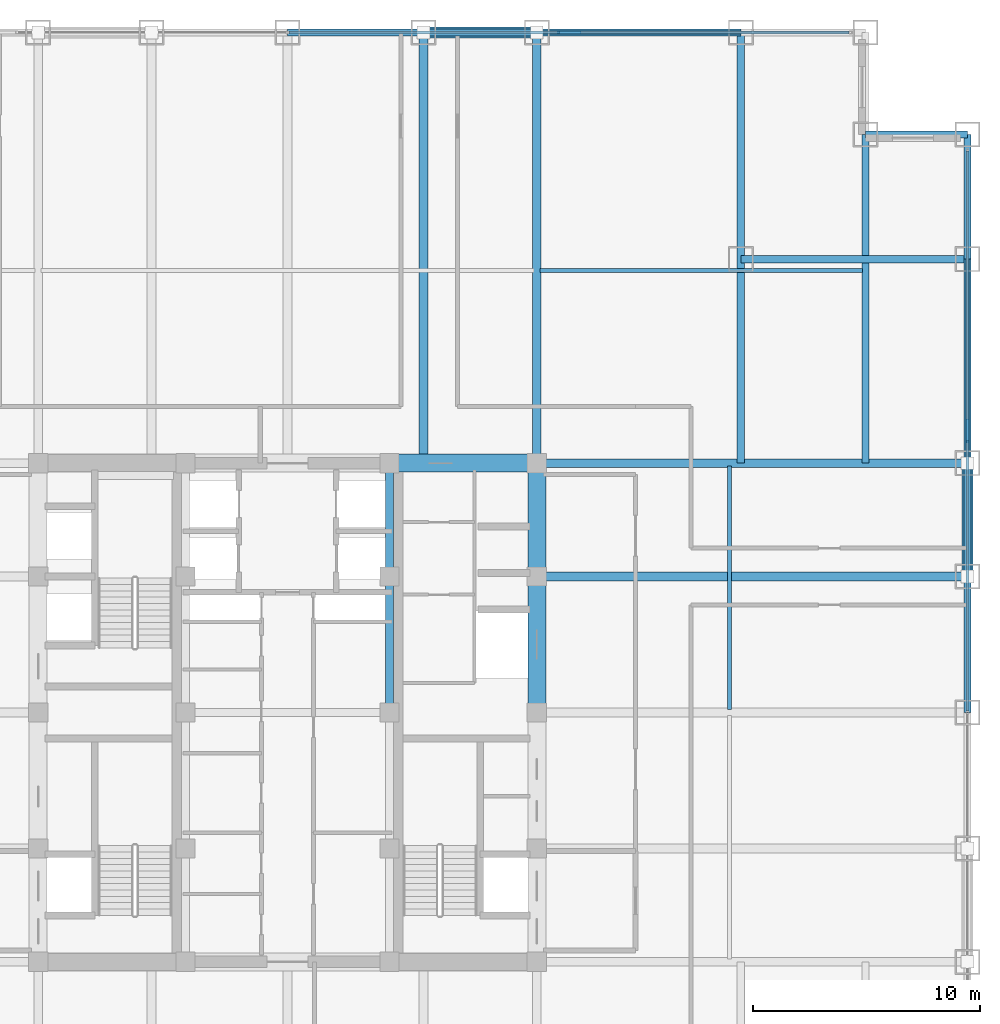
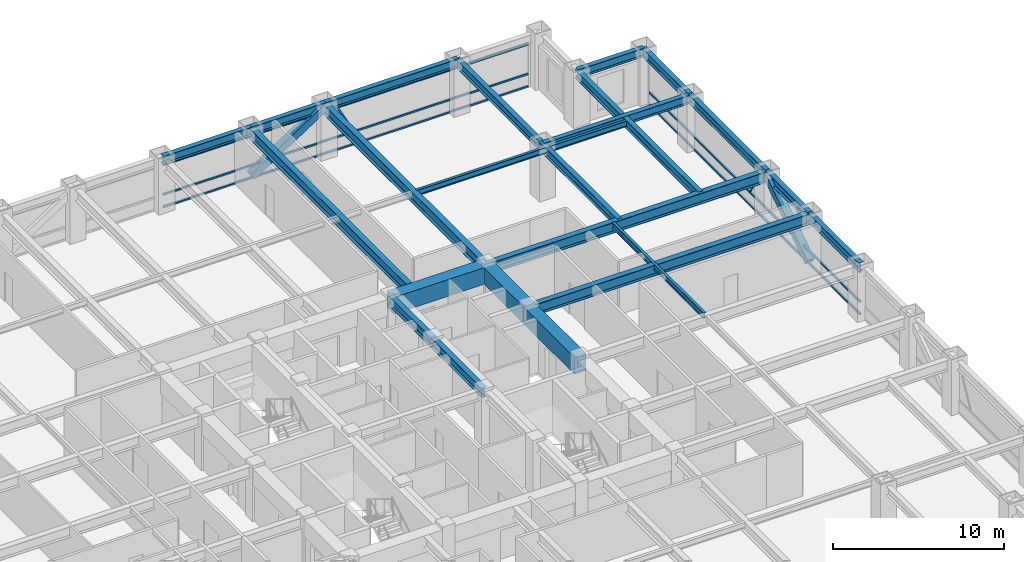
# One storey, part 17 of 24: 22 beams, 10 members, 2 elements without a shape of their own.
"""IFC4 building model written with IfcOpenShell, lengths in metres."""

from ifc_helpers import new_model, si_unit, direction, frame, origin, origin_2d, place, context, subcontext, project, spatial, rectangle, hollow_rectangle, i_section, extrude, source, transform, mapped, material, material_profile, profile_set, type_object, element, aggregate, save


model = new_model("IFC4")

# Units and contexts
model_context = context("Model", 3, precision=1e-05, world=origin(), true_north=direction((0.0, 1.0)))
body_context = subcontext(model_context, "Body", "Model", "MODEL_VIEW")
ifc_project = project(units=[si_unit("LENGTHUNIT", "METRE"), si_unit("AREAUNIT", "SQUARE_METRE"), si_unit("VOLUMEUNIT", "CUBIC_METRE"), si_unit("PLANEANGLEUNIT", "RADIAN"), si_unit("MASSUNIT", "GRAM", prefix="KILO")], contexts=[model_context])

# Site, building, storey
site_placement = place(None, origin())
site = spatial("IfcSite", under=ifc_project, at=site_placement, CompositionType="ELEMENT")
building_placement = place(site_placement, origin())
building = spatial("IfcBuilding", under=site, at=building_placement, Name="Khorayat Bourse Tower", CompositionType="ELEMENT")
storey_placement = place(building_placement, frame((0.0, 0.0, 175.10009765625)))
storey = spatial("IfcBuildingStorey", under=building, at=storey_placement, Name="L40", CompositionType="ELEMENT", Elevation=175.10009765625)

# Beams
ifc_material_1 = material(Name="Concrete C72/90", Category="concrete")
ifc_material_profile_1 = material_profile(ifc_material_1, rectangle(XDim=0.800048828125, YDim=1.199951171875, at=origin_2d()), Name="RC 800x1200")
ifc_profile_set_1 = profile_set([ifc_material_profile_1], Name="Concrete C72/90")
beam_type_1 = type_object("IfcBeamType", Name="BM-COUP-1200", PredefinedType="BEAM", material=ifc_profile_set_1)
shared_shape_1 = source(origin(), body_context, "Body", "SweptSolid", [
    extrude(rectangle(XDim=0.800048828125, YDim=1.199951171875, at=origin_2d()), origin(), (0.0, 0.0, 1.0), 5.0),
])
beam_1_placement = place(storey_placement, frame((11.0, 6.0, 3.179931640625), z_axis=(0.0, 1.0, 0.0), x_axis=(-1.0, 0.0, 0.0)))
element("IfcBeam", 1, at=beam_1_placement, inside=storey, type_object=beam_type_1, Name="L40 BM-COUP-1200 BM-L40-CRX-16", PredefinedType="BEAM", context=body_context, shape_type="MappedRepresentation", body=[
    mapped(shared_shape_1, transform((0.0, 0.0, 0.0), scale=1.0)),
])
shared_shape_2 = source(origin(), body_context, "Body", "SweptSolid", [
    extrude(rectangle(XDim=0.800048828125, YDim=1.199951171875, at=origin_2d()), origin(), (0.0, 0.0, 1.0), 6.0),
])
beam_2_placement = place(storey_placement, frame((11.0, 0.0, 3.179931640625), z_axis=(0.0, 1.0, 0.0), x_axis=(-1.0, 0.0, 0.0)))
element("IfcBeam", 2, at=beam_2_placement, inside=storey, type_object=beam_type_1, Name="L40 BM-COUP-1200 BM-L40-CRX-15", PredefinedType="BEAM", context=body_context, shape_type="MappedRepresentation", body=[
    mapped(shared_shape_2, transform((0.0, 0.0, 0.0), scale=1.0)),
])
ifc_material_2 = material(Name="Steel ASTM A992 Grade 50", Category="steel")
ifc_material_profile_2 = material_profile(ifc_material_2, i_section(OverallWidth=0.35498046875, OverallDepth=0.695068359375, WebThickness=0.015380859375, FlangeThickness=0.02490234375, FilletRadius=0.01806640625, at=origin_2d()), Name="W690X217")
ifc_profile_set_2 = profile_set([ifc_material_profile_2], Name="Steel ASTM A992 Grade 50")
beam_type_2 = type_object("IfcBeamType", Name="BM-GIRD-690", PredefinedType="BEAM", material=ifc_profile_set_2)
shared_shape_3 = source(origin(), body_context, "Body", "SweptSolid", [
    extrude(i_section(OverallWidth=0.35498046875, OverallDepth=0.695068359375, WebThickness=0.015380859375, FlangeThickness=0.02490234375, FilletRadius=0.01806640625, at=origin_2d()), origin(), (0.0, 0.0, 1.0), 5.0),
])
beam_3_placement = place(storey_placement, frame((4.5, 6.0, 3.432373046875), z_axis=(0.0, 1.0, 0.0), x_axis=(-1.0, 0.0, 0.0)))
element("IfcBeam", 3, at=beam_3_placement, inside=storey, type_object=beam_type_2, Name="L40 BM-GIRD-690 BM-L40-CRX-12", PredefinedType="BEAM", context=body_context, shape_type="MappedRepresentation", body=[
    mapped(shared_shape_3, transform((0.0, 0.0, 0.0), scale=1.0)),
])
shared_shape_4 = source(origin(), body_context, "Body", "SweptSolid", [
    extrude(i_section(OverallWidth=0.35498046875, OverallDepth=0.695068359375, WebThickness=0.015380859375, FlangeThickness=0.02490234375, FilletRadius=0.01806640625, at=origin_2d()), origin(), (0.0, 0.0, 1.0), 6.0),
])
beam_4_placement = place(storey_placement, frame((4.5, 0.0, 3.432373046875), z_axis=(0.0, 1.0, 0.0), x_axis=(-1.0, 0.0, 0.0)))
element("IfcBeam", 4, at=beam_4_placement, inside=storey, type_object=beam_type_2, Name="L40 BM-GIRD-690 BM-L40-CRX-11", PredefinedType="BEAM", context=body_context, shape_type="MappedRepresentation", body=[
    mapped(shared_shape_4, transform((0.0, 0.0, 0.0), scale=1.0)),
])
shared_shape_5 = source(origin(), body_context, "Body", "SweptSolid", [
    extrude(rectangle(XDim=0.800048828125, YDim=1.199951171875, at=origin_2d()), origin(), (0.0, 0.0, 1.0), 6.5),
])
beam_5_placement = place(storey_placement, frame((4.5, 11.0, 3.179931640625), z_axis=(1.0, 0.0, 0.0), x_axis=(0.0, 1.0, 0.0)))
element("IfcBeam", 5, at=beam_5_placement, inside=storey, type_object=beam_type_1, Name="L40 BM-COUP-1200 BM-L40-CRY-22", PredefinedType="BEAM", context=body_context, shape_type="MappedRepresentation", body=[
    mapped(shared_shape_5, transform((0.0, 0.0, 0.0), scale=1.0)),
])
ifc_material_profile_3 = material_profile(ifc_material_2, i_section(OverallWidth=0.381103515625, OverallDepth=0.77294921875, WebThickness=0.0166015625, FlangeThickness=0.027587890625, FilletRadius=0.01806640625, at=origin_2d()), Name="W760X257")
ifc_profile_set_3 = profile_set([ifc_material_profile_3], Name="Steel ASTM A992 Grade 50")
beam_type_3 = type_object("IfcBeamType", Name="BM-GIRD-760", PredefinedType="BEAM", material=ifc_profile_set_3)
shared_shape_6 = source(origin(), body_context, "Body", "SweptSolid", [
    extrude(i_section(OverallWidth=0.381103515625, OverallDepth=0.77294921875, WebThickness=0.0166015625, FlangeThickness=0.027587890625, FilletRadius=0.01806640625, at=origin_2d()), origin(), (0.0, 0.0, 1.0), 19.0),
])
for number, where, z_axis, x_axis, name in (
    (6, (6.0, 11.0, 3.393310546875), (0.0, 1.0, 0.0), (-1.0, 0.0, 0.0), "L40 BM-GIRD-760 BM-L40-RADY-070"),
    (7, (11.0, 11.0, 3.393310546875), (0.0, 1.0, 0.0), (-1.0, 0.0, 0.0), "L40 BM-GIRD-760 BM-L40-RADY-072"),
    (8, (11.0, 6.0, 3.393310546875), (1.0, 0.0, 0.0), (0.0, 1.0, 0.0), "L40 BM-GIRD-760 BM-L40-RADX-080"),
    (9, (11.0, 11.0, 3.393310546875), (1.0, 0.0, 0.0), (0.0, 1.0, 0.0), "L40 BM-GIRD-760 BM-L40-RADX-082"),
):
    element("IfcBeam", number, at=place(storey_placement, frame(where, z_axis=z_axis, x_axis=x_axis)), inside=storey, type_object=beam_type_3, Name=name, PredefinedType="BEAM", context=body_context, shape_type="MappedRepresentation", body=[
        mapped(shared_shape_6, transform((0.0, 0.0, 0.0), scale=1.0)),
    ])
ifc_material_profile_4 = material_profile(ifc_material_2, i_section(OverallWidth=0.324951171875, OverallDepth=0.615966796875, WebThickness=0.013916015625, FlangeThickness=0.021484375, FilletRadius=0.01611328125, at=origin_2d()), Name="W610X174")
ifc_profile_set_4 = profile_set([ifc_material_profile_4], Name="Steel ASTM A992 Grade 50")
beam_type_4 = type_object("IfcBeamType", Name="BM-GIRD-610", PredefinedType="BEAM", material=ifc_profile_set_4)
shared_shape_7 = source(origin(), body_context, "Body", "SweptSolid", [
    extrude(i_section(OverallWidth=0.324951171875, OverallDepth=0.615966796875, WebThickness=0.013916015625, FlangeThickness=0.021484375, FilletRadius=0.01611328125, at=origin_2d()), origin(), (0.0, 0.0, 1.0), 19.0),
])
beam_6_placement = place(storey_placement, frame((20.0, 11.0, 3.471923828125), z_axis=(0.0, 1.0, 0.0), x_axis=(-1.0, 0.0, 0.0)))
element("IfcBeam", 10, at=beam_6_placement, inside=storey, type_object=beam_type_4, Name="L40 BM-GIRD-610 BM-L40-CNRY-087", PredefinedType="BEAM", context=body_context, shape_type="MappedRepresentation", body=[
    mapped(shared_shape_7, transform((0.0, 0.0, 0.0), scale=1.0)),
])
shared_shape_8 = source(origin(), body_context, "Body", "SweptSolid", [
    extrude(i_section(OverallWidth=0.324951171875, OverallDepth=0.615966796875, WebThickness=0.013916015625, FlangeThickness=0.021484375, FilletRadius=0.01611328125, at=origin_2d()), origin(), (0.0, 0.0, 1.0), 14.5),
])
beam_7_placement = place(storey_placement, frame((25.5, 11.0, 3.471923828125), z_axis=(0.0, 1.0, 0.0), x_axis=(-1.0, 0.0, 0.0)))
element("IfcBeam", 11, at=beam_7_placement, inside=storey, type_object=beam_type_4, Name="L40 BM-GIRD-610 BM-L40-CNRY-091", PredefinedType="BEAM", context=body_context, shape_type="MappedRepresentation", body=[
    mapped(shared_shape_8, transform((0.0, 0.0, 0.0), scale=1.0)),
])
shared_shape_9 = source(origin(), body_context, "Body", "SweptSolid", [
    extrude(i_section(OverallWidth=0.324951171875, OverallDepth=0.615966796875, WebThickness=0.013916015625, FlangeThickness=0.021484375, FilletRadius=0.01611328125, at=origin_2d()), origin(), (0.0, 0.0, 1.0), 10.0),
])
beam_8_placement = place(storey_placement, frame((20.0, 20.0, 3.471923828125), z_axis=(1.0, 0.0, 0.0), x_axis=(0.0, 1.0, 0.0)))
element("IfcBeam", 12, at=beam_8_placement, inside=storey, type_object=beam_type_4, Name="L40 BM-GIRD-610 BM-L40-CNRX-094", PredefinedType="BEAM", context=body_context, shape_type="MappedRepresentation", body=[
    mapped(shared_shape_9, transform((0.0, 0.0, 0.0), scale=1.0)),
])
ifc_material_profile_5 = material_profile(ifc_material_2, i_section(OverallWidth=0.180908203125, OverallDepth=0.4169921875, WebThickness=0.010986328125, FlangeThickness=0.018310546875, FilletRadius=0.011962890625, at=origin_2d()), Name="W410X85")
ifc_profile_set_5 = profile_set([ifc_material_profile_5], Name="Steel ASTM A992 Grade 50")
beam_type_5 = type_object("IfcBeamType", Name="BM-JOIST-410", PredefinedType="JOIST", material=ifc_profile_set_5)
shared_shape_10 = source(origin(), body_context, "Body", "SweptSolid", [
    extrude(i_section(OverallWidth=0.180908203125, OverallDepth=0.4169921875, WebThickness=0.010986328125, FlangeThickness=0.018310546875, FilletRadius=0.011962890625, at=origin_2d()), origin(), (0.0, 0.0, 1.0), 14.240234375),
])
beam_9_placement = place(storey_placement, frame((11.1298828125, 19.5, 3.5712890625), z_axis=(1.0, 0.0, 0.0), x_axis=(0.0, 1.0, 0.0)))
element("IfcBeam", 13, at=beam_9_placement, inside=storey, type_object=beam_type_5, Name="L40 BM-JOIST-410 BM-L40-JSTX-101", PredefinedType="JOIST", context=body_context, shape_type="MappedRepresentation", body=[
    mapped(shared_shape_10, transform((0.0, 0.0, 0.0), scale=1.0)),
])
shared_shape_11 = source(origin(), body_context, "Body", "SweptSolid", [
    extrude(i_section(OverallWidth=0.180908203125, OverallDepth=0.4169921875, WebThickness=0.010986328125, FlangeThickness=0.018310546875, FilletRadius=0.011962890625, at=origin_2d()), origin(), (0.0, 0.0, 1.0), 10.740234375),
])
beam_10_placement = place(storey_placement, frame((19.5, 0.1298828125, 3.5712890625), z_axis=(0.0, 1.0, 0.0), x_axis=(-1.0, 0.0, 0.0)))
element("IfcBeam", 14, at=beam_10_placement, inside=storey, type_object=beam_type_5, Name="L40 BM-JOIST-410 BM-L40-JSTY-105", PredefinedType="JOIST", context=body_context, shape_type="MappedRepresentation", body=[
    mapped(shared_shape_11, transform((0.0, 0.0, 0.0), scale=1.0)),
])
ifc_material_profile_6 = material_profile(ifc_material_2, i_section(OverallWidth=0.324951171875, OverallDepth=0.615966796875, WebThickness=0.013916015625, FlangeThickness=0.021484375, FilletRadius=0.01611328125, at=origin_2d()), Name="W610X174")
ifc_profile_set_6 = profile_set([ifc_material_profile_6], Name="Steel ASTM A992 Grade 50")
beam_type_6 = type_object("IfcBeamType", Name="BM-SPAN-610", PredefinedType="SPANDREL", material=ifc_profile_set_6)
shared_shape_12 = source(origin(), body_context, "Body", "SweptSolid", [
    extrude(i_section(OverallWidth=0.324951171875, OverallDepth=0.615966796875, WebThickness=0.013916015625, FlangeThickness=0.021484375, FilletRadius=0.01611328125, at=origin_2d()), origin(), (0.0, 0.0, 1.0), 5.5),
])
beam_11_placement = place(storey_placement, frame((30.0, 20.0, 3.471923828125), z_axis=(0.0, 1.0, 0.0), x_axis=(-1.0, 0.0, 0.0)))
element("IfcBeam", 15, at=beam_11_placement, inside=storey, type_object=beam_type_6, Name="L40 BM-SPAN-610 BM-L40-SPN-041", PredefinedType="SPANDREL", context=body_context, shape_type="MappedRepresentation", body=[
    mapped(shared_shape_12, transform((0.0, 0.0, 0.0), scale=1.0)),
])
shared_shape_13 = source(origin(), body_context, "Body", "SweptSolid", [
    extrude(i_section(OverallWidth=0.324951171875, OverallDepth=0.615966796875, WebThickness=0.013916015625, FlangeThickness=0.021484375, FilletRadius=0.01611328125, at=origin_2d()), origin(), (0.0, 0.0, 1.0), 9.0),
])
for number, where, z_axis, x_axis, name in (
    (16, (30.0, 11.0, 3.471923828125), (0.0, 1.0, 0.0), (-1.0, 0.0, 0.0), "L40 BM-SPAN-610 BM-L40-SPN-040"),
    (17, (11.0, 30.0, 3.471923828125), (1.0, 0.0, 0.0), (0.0, 1.0, 0.0), "L40 BM-SPAN-610 BM-L40-SPN-045"),
):
    element("IfcBeam", number, at=place(storey_placement, frame(where, z_axis=z_axis, x_axis=x_axis)), inside=storey, type_object=beam_type_6, Name=name, PredefinedType="SPANDREL", context=body_context, shape_type="MappedRepresentation", body=[
        mapped(shared_shape_13, transform((0.0, 0.0, 0.0), scale=1.0)),
    ])
shared_shape_14 = source(origin(), body_context, "Body", "SweptSolid", [
    extrude(i_section(OverallWidth=0.324951171875, OverallDepth=0.615966796875, WebThickness=0.013916015625, FlangeThickness=0.021484375, FilletRadius=0.01611328125, at=origin_2d()), origin(), (0.0, 0.0, 1.0), 5.0),
])
for number, where, z_axis, x_axis, name in (
    (18, (30.0, 6.0, 3.471923828125), (0.0, 1.0, 0.0), (-1.0, 0.0, 0.0), "L40 BM-SPAN-610 BM-L40-SPN-039"),
    (19, (6.0, 30.0, 3.471923828125), (1.0, 0.0, 0.0), (0.0, 1.0, 0.0), "L40 BM-SPAN-610 BM-L40-SPN-046"),
):
    element("IfcBeam", number, at=place(storey_placement, frame(where, z_axis=z_axis, x_axis=x_axis)), inside=storey, type_object=beam_type_6, Name=name, PredefinedType="SPANDREL", context=body_context, shape_type="MappedRepresentation", body=[
        mapped(shared_shape_14, transform((0.0, 0.0, 0.0), scale=1.0)),
    ])
shared_shape_15 = source(origin(), body_context, "Body", "SweptSolid", [
    extrude(i_section(OverallWidth=0.324951171875, OverallDepth=0.615966796875, WebThickness=0.013916015625, FlangeThickness=0.021484375, FilletRadius=0.01611328125, at=origin_2d()), origin(), (0.0, 0.0, 1.0), 6.0),
])
for number, where, z_axis, x_axis, name in (
    (20, (30.0, 0.0, 3.471923828125), (0.0, 1.0, 0.0), (-1.0, 0.0, 0.0), "L40 BM-SPAN-610 BM-L40-SPN-038"),
    (21, (0.0, 30.0, 3.471923828125), (1.0, 0.0, 0.0), (0.0, 1.0, 0.0), "L40 BM-SPAN-610 BM-L40-SPN-047"),
):
    element("IfcBeam", number, at=place(storey_placement, frame(where, z_axis=z_axis, x_axis=x_axis)), inside=storey, type_object=beam_type_6, Name=name, PredefinedType="SPANDREL", context=body_context, shape_type="MappedRepresentation", body=[
        mapped(shared_shape_15, transform((0.0, 0.0, 0.0), scale=1.0)),
    ])
shared_shape_16 = source(origin(), body_context, "Body", "SweptSolid", [
    extrude(i_section(OverallWidth=0.324951171875, OverallDepth=0.615966796875, WebThickness=0.013916015625, FlangeThickness=0.021484375, FilletRadius=0.01611328125, at=origin_2d()), origin(), (0.0, 0.0, 1.0), 4.5),
])
beam_12_placement = place(storey_placement, frame((25.5, 25.5, 3.471923828125), z_axis=(1.0, 0.0, 0.0), x_axis=(0.0, 1.0, 0.0)))
element("IfcBeam", 22, at=beam_12_placement, inside=storey, type_object=beam_type_6, Name="L40 BM-SPAN-610 BM-L40-SPN-042", PredefinedType="SPANDREL", context=body_context, shape_type="MappedRepresentation", body=[
    mapped(shared_shape_16, transform((0.0, 0.0, 0.0), scale=1.0)),
])

# Members
ifc_material_3 = material(Name="Steel EN 10025-4 S460M", Category="steel")
ifc_material_profile_7 = material_profile(ifc_material_3, hollow_rectangle(XDim=0.5, YDim=0.5, WallThickness=0.028076171875, at=origin_2d()), Name="HSS 500x500x28")
ifc_profile_set_7 = profile_set([ifc_material_profile_7], Name="Steel EN 10025-4 S460M")
member_type_1 = type_object("IfcMemberType", Name="MBR-TUBE-500", PredefinedType="BRACE", material=ifc_profile_set_7)
shared_shape_17 = source(origin(), body_context, "Body", "SweptSolid", [
    extrude(hollow_rectangle(XDim=0.5, YDim=0.5, WallThickness=0.028076171875, at=origin_2d()), origin(), (0.0, 0.0, 1.0), 5.979736328125),
])
for number, where, z_axis, x_axis, name in (
    (23, (6.0, 30.0, 0.25), (0.836160261256, 0.0, 0.548485202623), (0.0, 1.0, 0.0), "L40 Perimeter Tube Brace 04"),
    (24, (30.0, 6.0, 0.25), (0.0, 0.836160261256, 0.548485202623), (-1.0, 0.0, 0.0), "L40 Perimeter Tube Brace 08"),
):
    element("IfcMember", number, at=place(storey_placement, frame(where, z_axis=z_axis, x_axis=x_axis)), inside=storey, type_object=member_type_1, Name=name, PredefinedType="BRACE", context=body_context, shape_type="MappedRepresentation", body=[
        mapped(shared_shape_17, transform((0.0, 0.0, 0.0), scale=1.0)),
    ])

# Curtain wall, member
ifc_material_4 = material(Name="Aluminium EN AW-6063 T6", Category="aluminium")
curtain_wall_type = type_object("IfcCurtainWallType", Name="CW-SYS-03", PredefinedType="NOTDEFINED", material=ifc_material_4)
curtain_wall_1_placement = place(storey_placement, origin())
curtain_wall_1 = element("IfcCurtainWall", 25, at=curtain_wall_1_placement, inside=storey, type_object=curtain_wall_type, Name="L40 Curtain Wall CW-L40-N1", PredefinedType="NOTDEFINED")
ifc_material_profile_8 = material_profile(ifc_material_4, hollow_rectangle(XDim=0.1201171875, YDim=0.1201171875, WallThickness=0.0048828125, at=origin_2d()), Name="ALU 120x120x5")
ifc_profile_set_8 = profile_set([ifc_material_profile_8], Name="Aluminium EN AW-6063 T6")
member_type_2 = type_object("IfcMemberType", Name="CWM-DIAG-120", PredefinedType="MULLION", material=ifc_profile_set_8)
shared_shape_18 = source(origin(), body_context, "Body", "SweptSolid", [
    extrude(hollow_rectangle(XDim=0.1201171875, YDim=0.1201171875, WallThickness=0.0048828125, at=origin_2d()), origin(), (0.0, 0.0, 1.0), 2.079345703125),
])
member_1_placement = place(storey_placement, frame((12.904296875, 30.0, 1.08984375), z_axis=(-0.465760949701, 0.0, 0.884910581773), x_axis=(0.0, -1.0, 0.0)))
member_1 = element("IfcMember", 26, at=member_1_placement, type_object=member_type_2, Name="CW-L40-N1 Faceted Diagonal Mullion 2", PredefinedType="MULLION", context=body_context, shape_type="MappedRepresentation", body=[
    mapped(shared_shape_18, transform((0.0, 0.0, 0.0), scale=1.0)),
])

curtain_wall_2_placement = place(storey_placement, origin())
curtain_wall_2 = element("IfcCurtainWall", 27, at=curtain_wall_2_placement, inside=storey, type_object=curtain_wall_type, Name="L40 Curtain Wall CW-L40-E1", PredefinedType="NOTDEFINED")
member_2_placement = place(storey_placement, frame((30.0, 12.904296875, 1.08984375), z_axis=(0.0, -0.465760949701, 0.884910581773), x_axis=(1.0, 0.0, 0.0)))
member_2 = element("IfcMember", 28, at=member_2_placement, type_object=member_type_2, Name="CW-L40-E1 Faceted Diagonal Mullion 2", PredefinedType="MULLION", context=body_context, shape_type="MappedRepresentation", body=[
    mapped(shared_shape_18, transform((0.0, 0.0, 0.0), scale=1.0)),
])

# Member
ifc_material_profile_9 = material_profile(ifc_material_4, hollow_rectangle(XDim=0.1201171875, YDim=0.1201171875, WallThickness=0.0048828125, at=origin_2d()), Name="ALU 120x120x5")
ifc_profile_set_9 = profile_set([ifc_material_profile_9], Name="Aluminium EN AW-6063 T6")
member_type_3 = type_object("IfcMemberType", Name="CWT-HORZ-120", PredefinedType="USERDEFINED", material=ifc_profile_set_9)
shared_shape_19 = source(origin(), body_context, "Body", "SweptSolid", [
    extrude(hollow_rectangle(XDim=0.1201171875, YDim=0.1201171875, WallThickness=0.0048828125, at=origin_2d()), origin(), (0.0, 0.0, 1.0), 24.719970703125),
])
member_3_placement = place(storey_placement, frame((0.06005859375, 30.0, 0.059814453125), z_axis=(1.0, 0.0, 0.0), x_axis=(0.0, 1.0, 0.0)))
member_3 = element("IfcMember", 29, at=member_3_placement, type_object=member_type_3, Name="CW-L40-N1 Horizontal Transom 2-1", ObjectType="TRANSOM", PredefinedType="USERDEFINED", context=body_context, shape_type="MappedRepresentation", body=[
    mapped(shared_shape_19, transform((0.0, 0.0, 0.0), scale=1.0)),
])

member_4_placement = place(storey_placement, frame((0.06005859375, 30.0, 0.949951171875), z_axis=(1.0, 0.0, 0.0), x_axis=(0.0, 1.0, 0.0)))
member_4 = element("IfcMember", 30, at=member_4_placement, type_object=member_type_3, Name="CW-L40-N1 Horizontal Transom 2-2", ObjectType="TRANSOM", PredefinedType="USERDEFINED", context=body_context, shape_type="MappedRepresentation", body=[
    mapped(shared_shape_19, transform((0.0, 0.0, 0.0), scale=1.0)),
])

member_5_placement = place(storey_placement, frame((0.06005859375, 30.0, 3.06982421875), z_axis=(1.0, 0.0, 0.0), x_axis=(0.0, 1.0, 0.0)))
member_5 = element("IfcMember", 31, at=member_5_placement, type_object=member_type_3, Name="CW-L40-N1 Horizontal Transom 2-3", ObjectType="TRANSOM", PredefinedType="USERDEFINED", context=body_context, shape_type="MappedRepresentation", body=[
    mapped(shared_shape_19, transform((0.0, 0.0, 0.0), scale=1.0)),
])

aggregate(curtain_wall_1, [member_3, member_4, member_5, member_1])

member_6_placement = place(storey_placement, frame((30.0, 0.06005859375, 0.059814453125), z_axis=(0.0, 1.0, 0.0), x_axis=(-1.0, 0.0, 0.0)))
member_6 = element("IfcMember", 32, at=member_6_placement, type_object=member_type_3, Name="CW-L40-E1 Horizontal Transom 2-1", ObjectType="TRANSOM", PredefinedType="USERDEFINED", context=body_context, shape_type="MappedRepresentation", body=[
    mapped(shared_shape_19, transform((0.0, 0.0, 0.0), scale=1.0)),
])

member_7_placement = place(storey_placement, frame((30.0, 0.06005859375, 0.949951171875), z_axis=(0.0, 1.0, 0.0), x_axis=(-1.0, 0.0, 0.0)))
member_7 = element("IfcMember", 33, at=member_7_placement, type_object=member_type_3, Name="CW-L40-E1 Horizontal Transom 2-2", ObjectType="TRANSOM", PredefinedType="USERDEFINED", context=body_context, shape_type="MappedRepresentation", body=[
    mapped(shared_shape_19, transform((0.0, 0.0, 0.0), scale=1.0)),
])

member_8_placement = place(storey_placement, frame((30.0, 0.06005859375, 3.06982421875), z_axis=(0.0, 1.0, 0.0), x_axis=(-1.0, 0.0, 0.0)))
member_8 = element("IfcMember", 34, at=member_8_placement, type_object=member_type_3, Name="CW-L40-E1 Horizontal Transom 2-3", ObjectType="TRANSOM", PredefinedType="USERDEFINED", context=body_context, shape_type="MappedRepresentation", body=[
    mapped(shared_shape_19, transform((0.0, 0.0, 0.0), scale=1.0)),
])

aggregate(curtain_wall_2, [member_6, member_7, member_8, member_2])

save(model, "model.ifc")
